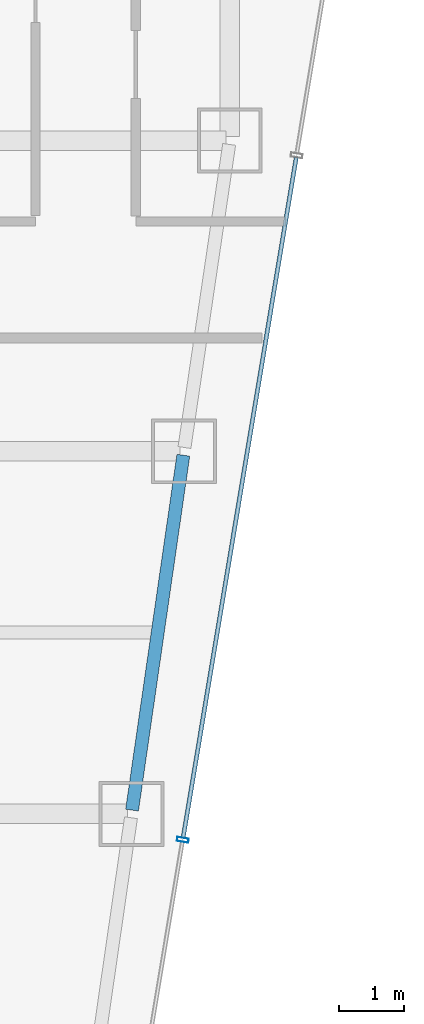
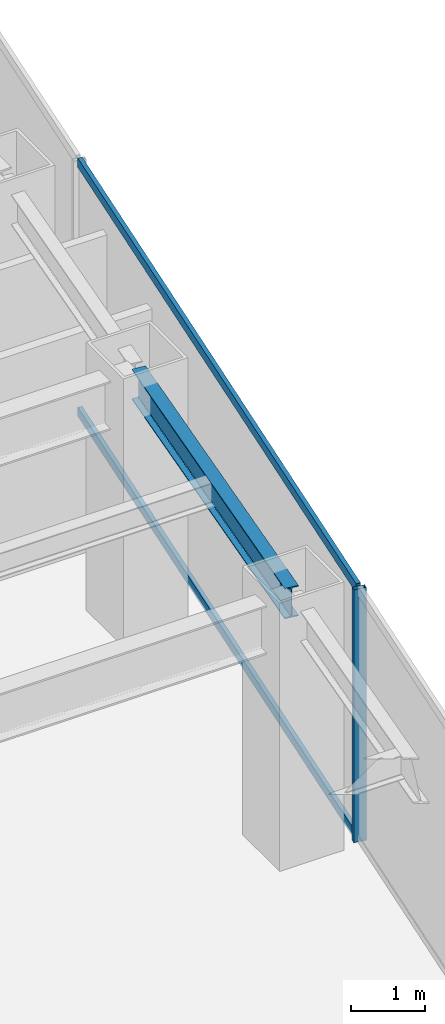
# One storey, part 19 of 37: 3 members, 1 beam, 1 element without a shape of its own.
"""IFC4 building model written with IfcOpenShell, lengths in metres."""

from ifc_helpers import new_model, si_unit, direction, frame, origin, origin_2d, place, context, subcontext, project, spatial, hollow_rectangle, i_section, extrude, material, material_profile, profile_set, type_object, element, aggregate, save


model = new_model("IFC4")

# Units and contexts
model_context = context("Model", 3, precision=1e-05, world=origin(), true_north=direction((0.0, 1.0)))
body_context = subcontext(model_context, "Body", "Model", "MODEL_VIEW")
ifc_project = project(units=[si_unit("LENGTHUNIT", "METRE"), si_unit("AREAUNIT", "SQUARE_METRE"), si_unit("VOLUMEUNIT", "CUBIC_METRE"), si_unit("PLANEANGLEUNIT", "RADIAN"), si_unit("MASSUNIT", "GRAM", prefix="KILO")], contexts=[model_context])

# Site, building, storey
site_placement = place(None, origin())
site = spatial("IfcSite", under=ifc_project, at=site_placement, CompositionType="ELEMENT")
building_placement = place(site_placement, origin())
building = spatial("IfcBuilding", under=site, at=building_placement, Name="Saevonmaru Cultural Tower", CompositionType="ELEMENT")
storey_placement = place(building_placement, frame((0.0, 0.0, 106.0)))
storey = spatial("IfcBuildingStorey", under=building, at=storey_placement, Name="L22", CompositionType="ELEMENT", Elevation=106.0)

# Beam
ifc_material_1 = material(Name="Steel SM355", Category="steel")
ifc_material_profile_1 = material_profile(ifc_material_1, i_section(OverallWidth=0.199951171875, OverallDepth=0.5, WebThickness=0.010009765625, FlangeThickness=0.01611328125, FilletRadius=0.02001953125, at=origin_2d()), Name="H-500x200x10x16")
ifc_profile_set_1 = profile_set([ifc_material_profile_1], Name="Steel SM355")
beam_type = type_object("IfcBeamType", Name="BM-SP-H500", PredefinedType="SPANDREL", material=ifc_profile_set_1)
beam_placement = place(storey_placement, frame((51.691650390625, 32.059326171875, 3.89990234375), z_axis=(0.142964121327, 0.989727871697, 0.0), x_axis=(-0.989727871697, 0.142964121327, 0.0)))
element("IfcBeam", 1, at=beam_placement, inside=storey, type_object=beam_type, Name="L22 East Splayed Spandrel 4", PredefinedType="SPANDREL", context=body_context, shape_type="SweptSolid", body=[
    extrude(i_section(OverallWidth=0.199951171875, OverallDepth=0.5, WebThickness=0.010009765625, FlangeThickness=0.01611328125, FilletRadius=0.02001953125, at=origin_2d()), origin(), (0.0, 0.0, 1.0), 5.5380859375),
])

# Curtain wall, members
ifc_material_2 = material(Name="Satin Bronze Anodised Aluminium", Category="aluminium")
curtain_wall_type = type_object("IfcCurtainWallType", Name="CW-TYP-A", PredefinedType="NOTDEFINED", material=ifc_material_2)
curtain_wall_placement = place(storey_placement, origin())
curtain_wall = element("IfcCurtainWall", 2, at=curtain_wall_placement, inside=storey, type_object=curtain_wall_type, Name="L22 Unitised Curtain Wall E8", PredefinedType="NOTDEFINED")
ifc_material_profile_2 = material_profile(ifc_material_2, hollow_rectangle(XDim=0.06494140625, YDim=0.179931640625, WallThickness=0.00390625, at=origin_2d()), Name="ALU-MULL-180x65x4")
ifc_profile_set_2 = profile_set([ifc_material_profile_2], Name="Satin Bronze Anodised Aluminium")
member_type_1 = type_object("IfcMemberType", Name="ML-CW-180x65", PredefinedType="MULLION", material=ifc_profile_set_2)
member_1_placement = place(storey_placement, frame((52.4755859375, 31.60009765625, 0.0), z_axis=(0.0, 0.0, 1.0), x_axis=(0.163998702345, 0.986460554523, 0.0)))
member_1 = element("IfcMember", 3, at=member_1_placement, type_object=member_type_1, Name="CW-TW-L22-E8 mullion 3", PredefinedType="MULLION", context=body_context, shape_type="SweptSolid", body=[
    extrude(hollow_rectangle(XDim=0.06494140625, YDim=0.179931640625, WallThickness=0.00390625, at=origin_2d()), origin(), (0.0, 0.0, 1.0), 4.14990234375),
])
ifc_material_profile_3 = material_profile(ifc_material_2, hollow_rectangle(XDim=0.06494140625, YDim=0.14990234375, WallThickness=0.00390625, at=origin_2d()), Name="ALU-TRAN-150x65x4")
ifc_profile_set_3 = profile_set([ifc_material_profile_3], Name="Satin Bronze Anodised Aluminium")
member_type_2 = type_object("IfcMemberType", Name="TR-CW-150x65", PredefinedType="USERDEFINED", material=ifc_profile_set_3)
member_2_placement = place(storey_placement, frame((52.48095703125, 31.632080078125, 0.032470703125), z_axis=(0.163990079074, 0.9864619881, 0.0), x_axis=(-0.9864619881, 0.163990079074, 0.0)))
member_2 = element("IfcMember", 4, at=member_2_placement, type_object=member_type_2, Name="CW-TW-L22-E8 transom 3.1", ObjectType="TRANSOM", PredefinedType="USERDEFINED", context=body_context, shape_type="SweptSolid", body=[
    extrude(hollow_rectangle(XDim=0.06494140625, YDim=0.14990234375, WallThickness=0.00390625, at=origin_2d()), origin(), (0.0, 0.0, 1.0), 10.650634765625),
])
member_3_placement = place(storey_placement, frame((52.48095703125, 31.632080078125, 4.117431640625), z_axis=(0.163990079074, 0.9864619881, 0.0), x_axis=(-0.9864619881, 0.163990079074, 0.0)))
member_3 = element("IfcMember", 5, at=member_3_placement, type_object=member_type_2, Name="CW-TW-L22-E8 transom 3.2", ObjectType="TRANSOM", PredefinedType="USERDEFINED", context=body_context, shape_type="SweptSolid", body=[
    extrude(hollow_rectangle(XDim=0.06494140625, YDim=0.14990234375, WallThickness=0.00390625, at=origin_2d()), origin(), (0.0, 0.0, 1.0), 10.650634765625),
])
aggregate(curtain_wall, [member_1, member_2, member_3])

save(model, "model.ifc")
